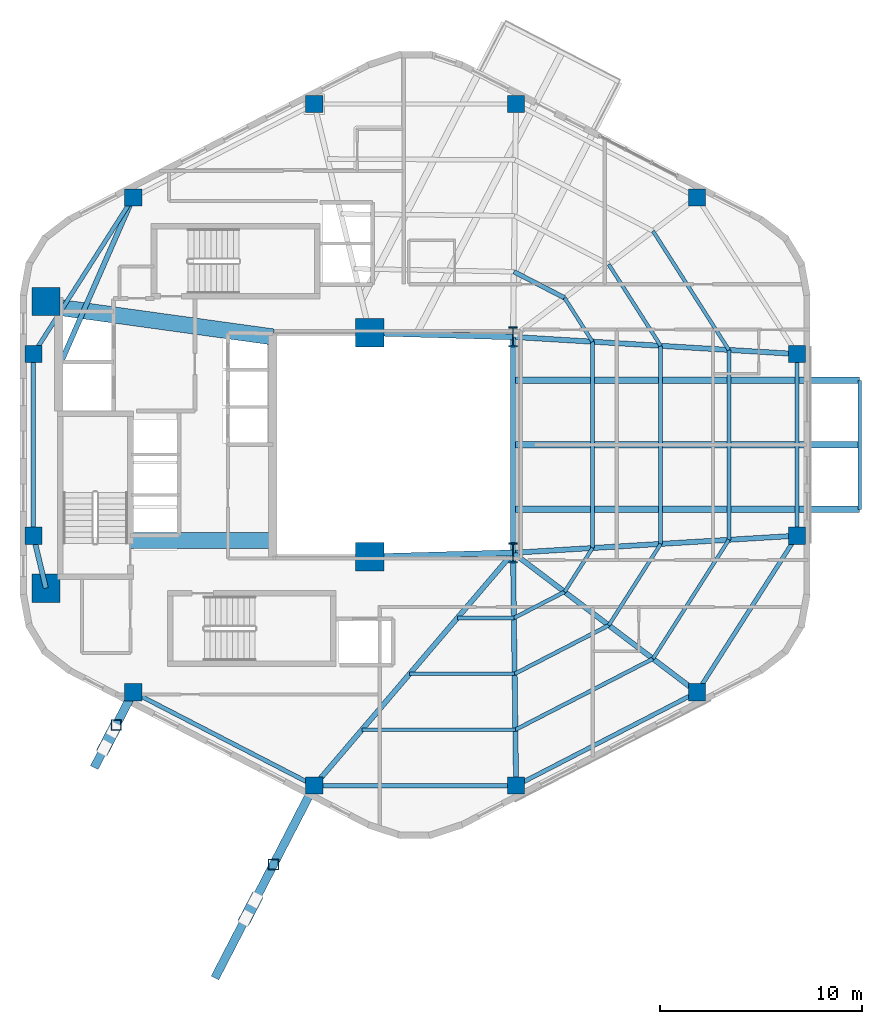
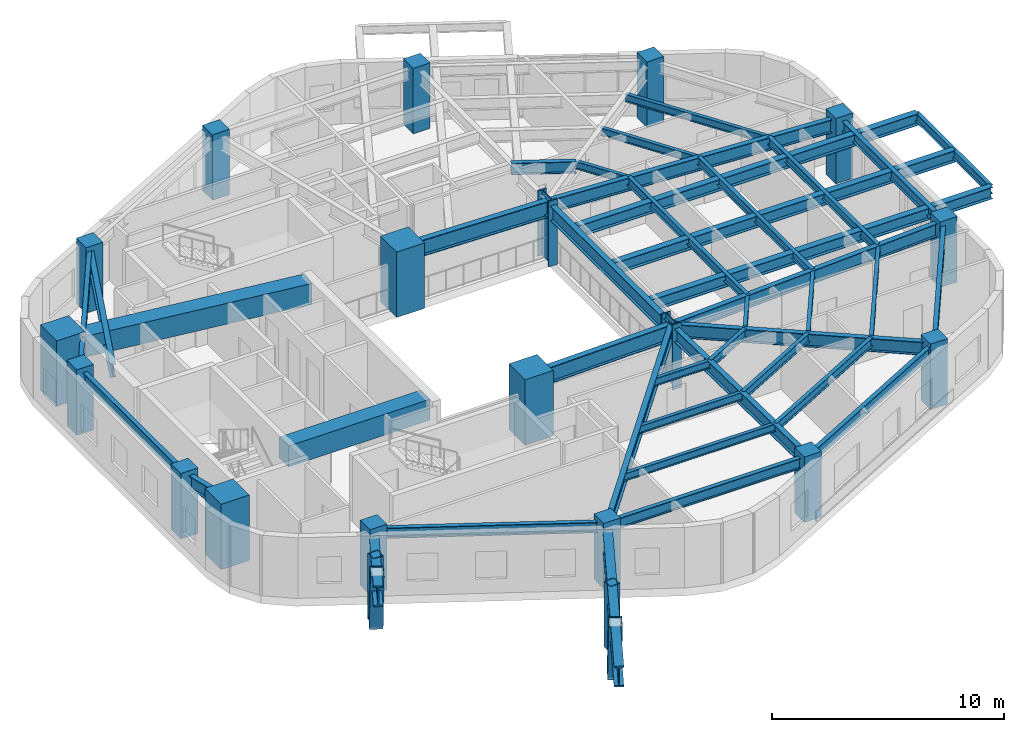
# One storey, part 1 of 12: 41 beams, 18 columns, 4 members.
"""IFC4 building model written with IfcOpenShell, lengths in metres."""

from ifc_helpers import new_model, si_unit, direction, frame, origin, origin_2d, place, context, subcontext, project, spatial, rectangle, hollow_rectangle, i_section, extrude, material, material_profile, profile_set, type_object, element, save


model = new_model("IFC4")

# Units and contexts
model_context = context("Model", 3, precision=1e-05, world=origin(), true_north=direction((0.0, 1.0)))
body_context = subcontext(model_context, "Body", "Model", "MODEL_VIEW")
ifc_project = project(units=[si_unit("LENGTHUNIT", "METRE"), si_unit("AREAUNIT", "SQUARE_METRE"), si_unit("VOLUMEUNIT", "CUBIC_METRE"), si_unit("PLANEANGLEUNIT", "RADIAN"), si_unit("MASSUNIT", "GRAM", prefix="KILO"), si_unit("THERMODYNAMICTEMPERATUREUNIT", "KELVIN"), si_unit("POWERUNIT", "WATT")], contexts=[model_context])

# Site, building, storey
site_placement = place(None, origin())
site = spatial("IfcSite", under=ifc_project, at=site_placement, CompositionType="ELEMENT")
building_placement = place(site_placement, origin())
building = spatial("IfcBuilding", under=site, at=building_placement, Name="Skarre Station Tower", CompositionType="ELEMENT")
storey_placement = place(building_placement, frame((0.0, 0.0, 163.64990234375)))
storey = spatial("IfcBuildingStorey", under=building, at=storey_placement, Name="L44", CompositionType="ELEMENT", Elevation=163.64990234375)

# Columns
ifc_material_1 = material(Name="Concrete C70/85", Category="concrete")
ifc_material_profile_1 = material_profile(ifc_material_1, rectangle(XDim=1.39990234375, YDim=1.39990234375, at=origin_2d()), Name="Concrete C70/85")
ifc_profile_set_1 = profile_set([ifc_material_profile_1], Name="Concrete C70/85")
column_type_1 = type_object("IfcColumnType", Name="RC Structural Column RC-COL-1400X1400", PredefinedType="COLUMN", material=ifc_profile_set_1)
for number, where, z_axis, x_axis, name in (
    (1, (16.300048828125, 16.89990234375, 0.0), (0.0, 0.0, 1.0), (1.0, 0.0, 0.0), "L44 Core Column CC-SW"),
    (2, (16.300048828125, 31.10009765625, 0.0), (0.0, 0.0, 1.0), (1.0, 0.0, 0.0), "L44 Core Column CC-NW"),
    (3, (32.35009765625, 18.449951171875, 0.0), (0.0, 0.0, 1.0), (1.0, 0.0, 0.0), "L44 Core Column CC-SE"),
    (4, (32.35009765625, 29.550048828125, 0.0), (0.0, 0.0, 1.0), (1.0, 0.0, 0.0), "L44 Core Column CC-NE"),
):
    element("IfcColumn", number, at=place(storey_placement, frame(where, z_axis=z_axis, x_axis=x_axis)), inside=storey, type_object=column_type_1, Name=name, PredefinedType="COLUMN", context=body_context, shape_type="SweptSolid", body=[
        extrude(rectangle(XDim=1.39990234375, YDim=1.39990234375, at=origin_2d()), origin(), (0.0, 0.0, 1.0), 3.4501953125),
    ])
ifc_material_2 = material(Name="Concrete C50/60", Category="concrete")
ifc_material_profile_2 = material_profile(ifc_material_2, rectangle(XDim=0.85009765625, YDim=0.85009765625, at=origin_2d()), Name="Concrete C50/60")
ifc_profile_set_2 = profile_set([ifc_material_profile_2], Name="Concrete C50/60")
column_type_2 = type_object("IfcColumnType", Name="RC Structural Column RC-COL-850X850", PredefinedType="COLUMN", material=ifc_profile_set_2)
for number, where, z_axis, x_axis, name in (
    (5, (48.573974609375, 36.257080078125, 0.0), (0.0, 0.0, 1.0), (1.0, 0.0, 0.0), "L44 Zone 3 Perimeter Column F0C1"),
    (6, (39.60205078125, 40.887939453125, 0.0), (0.0, 0.0, 1.0), (1.0, 0.0, 0.0), "L44 Zone 3 Perimeter Column F0C2"),
    (7, (29.597900390625, 40.887939453125, 0.0), (0.0, 0.0, 1.0), (1.0, 0.0, 0.0), "L44 Zone 3 Perimeter Column F1C1"),
    (8, (20.6259765625, 36.257080078125, 0.0), (0.0, 0.0, 1.0), (1.0, 0.0, 0.0), "L44 Zone 3 Perimeter Column F1C2"),
    (9, (15.677978515625, 28.5009765625, 0.0), (0.0, 0.0, 1.0), (1.0, 0.0, 0.0), "L44 Zone 3 Perimeter Column F2C1"),
    (10, (15.677978515625, 19.4990234375, 0.0), (0.0, 0.0, 1.0), (1.0, 0.0, 0.0), "L44 Zone 3 Perimeter Column F2C2"),
    (11, (20.6259765625, 11.742919921875, 0.0), (0.0, 0.0, 1.0), (1.0, 0.0, 0.0), "L44 Zone 3 Perimeter Column F3C1"),
    (12, (29.597900390625, 7.112060546875, 0.0), (0.0, 0.0, 1.0), (1.0, 0.0, 0.0), "L44 Zone 3 Perimeter Column F3C2"),
    (13, (39.60205078125, 7.112060546875, 0.0), (0.0, 0.0, 1.0), (1.0, 0.0, 0.0), "L44 Zone 3 Perimeter Column F4C1"),
    (14, (48.573974609375, 11.742919921875, 0.0), (0.0, 0.0, 1.0), (1.0, 0.0, 0.0), "L44 Zone 3 Perimeter Column F4C2"),
    (15, (53.52197265625, 19.4990234375, 0.0), (0.0, 0.0, 1.0), (1.0, 0.0, 0.0), "L44 Zone 3 Perimeter Column F5C1"),
    (16, (53.52197265625, 28.5009765625, 0.0), (0.0, 0.0, 1.0), (1.0, 0.0, 0.0), "L44 Zone 3 Perimeter Column F5C2"),
):
    element("IfcColumn", number, at=place(storey_placement, frame(where, z_axis=z_axis, x_axis=x_axis)), inside=storey, type_object=column_type_2, Name=name, PredefinedType="COLUMN", context=body_context, shape_type="SweptSolid", body=[
        extrude(rectangle(XDim=0.85009765625, YDim=0.85009765625, at=origin_2d()), origin(), (0.0, 0.0, 1.0), 3.4501953125),
    ])
ifc_material_3 = material(Name="Steel ASTM A913 Grade 65", Category="steel")
ifc_material_profile_3 = material_profile(ifc_material_3, i_section(OverallWidth=0.430908203125, OverallDepth=0.987060546875, WebThickness=0.033935546875, FlangeThickness=0.06201171875, at=origin_2d()), Name="Steel ASTM A913 Grade 65")
ifc_profile_set_3 = profile_set([ifc_material_profile_3], Name="Steel ASTM A913 Grade 65")
column_type_3 = type_object("IfcColumnType", Name="Steel Column W36X441", PredefinedType="COLUMN", material=ifc_profile_set_3)
for number, where, z_axis, x_axis, name in (
    (17, (39.449951171875, 18.64990234375, 0.0), (0.0, 0.0, 1.0), (1.0, 0.0, 0.0), "L44 Atrium Spine Column AC-SE"),
    (18, (39.449951171875, 29.35009765625, 0.0), (0.0, 0.0, 1.0), (1.0, 0.0, 0.0), "L44 Atrium Spine Column AC-NE"),
):
    element("IfcColumn", number, at=place(storey_placement, frame(where, z_axis=z_axis, x_axis=x_axis)), inside=storey, type_object=column_type_3, Name=name, PredefinedType="COLUMN", context=body_context, shape_type="SweptSolid", body=[
        extrude(i_section(OverallWidth=0.430908203125, OverallDepth=0.987060546875, WebThickness=0.033935546875, FlangeThickness=0.06201171875, at=origin_2d()), origin(), (0.0, 0.0, 1.0), 3.4501953125),
    ])

# Beams
ifc_material_profile_4 = material_profile(ifc_material_1, rectangle(XDim=0.800048828125, YDim=1.10009765625, at=origin_2d()), Name="Concrete C70/85")
ifc_profile_set_4 = profile_set([ifc_material_profile_4], Name="Concrete C70/85")
beam_type_1 = type_object("IfcBeamType", Name="RC Core Coupling Lintel 800x1100", PredefinedType="LINTEL", material=ifc_profile_set_4)
beam_1_placement = place(storey_placement, frame((20.489990234375, 19.260009765625, 2.64013671875), z_axis=(1.0, 0.0, 0.0), x_axis=(0.0, 1.0, 0.0)))
element("IfcBeam", 19, at=beam_1_placement, inside=storey, type_object=beam_type_1, Name="L44 South Core Coupling Lintel", PredefinedType="LINTEL", context=body_context, shape_type="SweptSolid", body=[
    extrude(rectangle(XDim=0.800048828125, YDim=1.10009765625, at=origin_2d()), origin(), (0.0, 0.0, 1.0), 7.06005859375),
])
beam_2_placement = place(storey_placement, frame((17.050048828125, 30.800048828125, 2.64013671875), z_axis=(0.990599723633, -0.136792498109, 0.0), x_axis=(0.136792498109, 0.990599723633, 0.0)))
element("IfcBeam", 20, at=beam_2_placement, inside=storey, type_object=beam_type_1, Name="L44 North Core Coupling Lintel", PredefinedType="LINTEL", context=body_context, shape_type="SweptSolid", body=[
    extrude(rectangle(XDim=0.800048828125, YDim=1.10009765625, at=origin_2d()), origin(), (0.0, 0.0, 1.0), 10.599609375),
])
ifc_material_4 = material(Name="Steel ASTM A992 Grade 50", Category="steel")
ifc_material_profile_5 = material_profile(ifc_material_4, i_section(OverallWidth=0.323974609375, OverallDepth=0.611083984375, WebThickness=0.012939453125, FlangeThickness=0.01904296875, at=origin_2d()), Name="Steel ASTM A992 Grade 50")
ifc_profile_set_5 = profile_set([ifc_material_profile_5], Name="Steel ASTM A992 Grade 50")
beam_type_2 = type_object("IfcBeamType", Name="Steel Beam W24X104", PredefinedType="BEAM", material=ifc_profile_set_5)
for number, where, z_axis, x_axis, name in (
    (21, (39.449951171875, 24.0, 2.800048828125), (1.0, 0.0, 0.0), (0.0, 1.0, 0.0), "L44 TB-L45-F5 Center Outrigger Beam"),
    (22, (39.449951171875, 20.800048828125, 2.800048828125), (1.0, 0.0, 0.0), (0.0, 1.0, 0.0), "L44 TB-L45-F5 Outrigger Beam 1"),
    (23, (39.449951171875, 27.199951171875, 2.800048828125), (1.0, 0.0, 0.0), (0.0, 1.0, 0.0), "L44 TB-L45-F5 Outrigger Beam 2"),
):
    element("IfcBeam", number, at=place(storey_placement, frame(where, z_axis=z_axis, x_axis=x_axis)), inside=storey, type_object=beam_type_2, Name=name, PredefinedType="BEAM", context=body_context, shape_type="SweptSolid", body=[
        extrude(i_section(OverallWidth=0.323974609375, OverallDepth=0.611083984375, WebThickness=0.012939453125, FlangeThickness=0.01904296875, at=origin_2d()), origin(), (0.0, 0.0, 1.0), 17.18212890625),
    ])
ifc_material_profile_6 = material_profile(ifc_material_4, i_section(OverallWidth=0.256103515625, OverallDepth=0.693115234375, WebThickness=0.013916015625, FlangeThickness=0.02392578125, at=origin_2d()), Name="Steel ASTM A992 Grade 50")
ifc_profile_set_6 = profile_set([ifc_material_profile_6], Name="Steel ASTM A992 Grade 50")
beam_type_3 = type_object("IfcBeamType", Name="Steel Beam W27X114", PredefinedType="BEAM", material=ifc_profile_set_6)
beam_3_placement = place(storey_placement, frame((17.010009765625, 28.0, 2.843994140625), z_axis=(0.401144174417, 0.916014929644, 0.0), x_axis=(-0.916014929644, 0.401144174417, 0.0)))
element("IfcBeam", 24, at=beam_3_placement, inside=storey, type_object=beam_type_3, Name="L44 Radial Floor Girder F1C2", PredefinedType="BEAM", context=body_context, shape_type="SweptSolid", body=[
    extrude(i_section(OverallWidth=0.256103515625, OverallDepth=0.693115234375, WebThickness=0.013916015625, FlangeThickness=0.02392578125, at=origin_2d()), origin(), (0.0, 0.0, 1.0), 9.01416015625),
])
beam_4_placement = place(storey_placement, frame((16.300048828125, 16.89990234375, 2.843994140625), z_axis=(-0.232764815072, 0.972533053867, 0.0), x_axis=(-0.972533053867, -0.232764815072, 0.0)))
element("IfcBeam", 25, at=beam_4_placement, inside=storey, type_object=beam_type_3, Name="L44 Radial Floor Girder F2C2", PredefinedType="BEAM", context=body_context, shape_type="SweptSolid", body=[
    extrude(i_section(OverallWidth=0.256103515625, OverallDepth=0.693115234375, WebThickness=0.013916015625, FlangeThickness=0.02392578125, at=origin_2d()), origin(), (0.0, 0.0, 1.0), 2.672607421875),
])
beam_5_placement = place(storey_placement, frame((39.449951171875, 18.64990234375, 2.843994140625), z_axis=(-0.649364312169, -0.760477475065, 0.0), x_axis=(0.760477475065, -0.649364312169, 0.0)))
element("IfcBeam", 26, at=beam_5_placement, inside=storey, type_object=beam_type_3, Name="L44 Radial Floor Girder F3C2", PredefinedType="BEAM", context=body_context, shape_type="SweptSolid", body=[
    extrude(i_section(OverallWidth=0.256103515625, OverallDepth=0.693115234375, WebThickness=0.013916015625, FlangeThickness=0.02392578125, at=origin_2d()), origin(), (0.0, 0.0, 1.0), 15.171875),
])
beam_6_placement = place(storey_placement, frame((39.449951171875, 18.64990234375, 2.843994140625), z_axis=(0.013181528887, -0.999913119874, 0.0), x_axis=(0.999913119874, 0.013181528887, 0.0)))
element("IfcBeam", 27, at=beam_6_placement, inside=storey, type_object=beam_type_3, Name="L44 Radial Floor Girder F4C1", PredefinedType="BEAM", context=body_context, shape_type="SweptSolid", body=[
    extrude(i_section(OverallWidth=0.256103515625, OverallDepth=0.693115234375, WebThickness=0.013916015625, FlangeThickness=0.02392578125, at=origin_2d()), origin(), (0.0, 0.0, 1.0), 11.538818359375),
])
beam_7_placement = place(storey_placement, frame((39.449951171875, 18.64990234375, 2.843994140625), z_axis=(0.797308988117, -0.603571352425, 0.0), x_axis=(0.603571352425, 0.797308988117, 0.0)))
element("IfcBeam", 28, at=beam_7_placement, inside=storey, type_object=beam_type_3, Name="L44 Radial Floor Girder F4C2", PredefinedType="BEAM", context=body_context, shape_type="SweptSolid", body=[
    extrude(i_section(OverallWidth=0.256103515625, OverallDepth=0.693115234375, WebThickness=0.013916015625, FlangeThickness=0.02392578125, at=origin_2d()), origin(), (0.0, 0.0, 1.0), 11.443603515625),
])
for number, where, z_axis, x_axis, name in (
    (29, (39.449951171875, 18.64990234375, 2.843994140625), (0.998184432941, 0.060231535207, 0.0), (-0.060231535207, 0.998184432941, 0.0), "L44 Radial Floor Girder F5C1"),
    (30, (39.449951171875, 29.35009765625, 2.843994140625), (0.998184432941, -0.060231535207, 0.0), (0.060231535207, 0.998184432941, 0.0), "L44 Radial Floor Girder F5C2"),
):
    element("IfcBeam", number, at=place(storey_placement, frame(where, z_axis=z_axis, x_axis=x_axis)), inside=storey, type_object=beam_type_3, Name=name, PredefinedType="BEAM", context=body_context, shape_type="SweptSolid", body=[
        extrude(i_section(OverallWidth=0.256103515625, OverallDepth=0.693115234375, WebThickness=0.013916015625, FlangeThickness=0.02392578125, at=origin_2d()), origin(), (0.0, 0.0, 1.0), 14.09765625),
    ])
ifc_material_profile_7 = material_profile(ifc_material_4, i_section(OverallWidth=0.26806640625, OverallDepth=0.77001953125, WebThickness=0.01611328125, FlangeThickness=0.02490234375, at=origin_2d()), Name="Steel ASTM A992 Grade 50")
ifc_profile_set_7 = profile_set([ifc_material_profile_7], Name="Steel ASTM A992 Grade 50")
beam_type_4 = type_object("IfcBeamType", Name="Steel Beam W30X132", PredefinedType="BEAM", material=ifc_profile_set_7)
beam_8_placement = place(storey_placement, frame((39.449951171875, 18.64990234375, 2.80517578125), z_axis=(0.0, 1.0, 0.0), x_axis=(-1.0, 0.0, 0.0)))
element("IfcBeam", 31, at=beam_8_placement, inside=storey, type_object=beam_type_4, Name="L44 Atrium East Edge Girder", PredefinedType="BEAM", context=body_context, shape_type="SweptSolid", body=[
    extrude(i_section(OverallWidth=0.26806640625, OverallDepth=0.77001953125, WebThickness=0.01611328125, FlangeThickness=0.02490234375, at=origin_2d()), origin(), (0.0, 0.0, 1.0), 10.7001953125),
])
ifc_material_profile_8 = material_profile(ifc_material_4, i_section(OverallWidth=0.2919921875, OverallDepth=0.85888671875, WebThickness=0.01708984375, FlangeThickness=0.031005859375, at=origin_2d()), Name="Steel ASTM A992 Grade 50")
ifc_profile_set_8 = profile_set([ifc_material_profile_8], Name="Steel ASTM A992 Grade 50")
beam_type_5 = type_object("IfcBeamType", Name="Steel Beam W33X169", PredefinedType="BEAM", material=ifc_profile_set_8)
for number, where, z_axis, x_axis, name in (
    (32, (32.35009765625, 18.449951171875, 2.760986328125), (0.999603666405, 0.028151556095, 0.0), (-0.028151556095, 0.999603666405, 0.0), "L44 Atrium South Edge Girder"),
    (33, (32.35009765625, 29.550048828125, 2.760986328125), (0.999603666405, -0.028151556095, 0.0), (0.028151556095, 0.999603666405, 0.0), "L44 Atrium North Edge Girder"),
):
    element("IfcBeam", number, at=place(storey_placement, frame(where, z_axis=z_axis, x_axis=x_axis)), inside=storey, type_object=beam_type_5, Name=name, PredefinedType="BEAM", context=body_context, shape_type="SweptSolid", body=[
        extrude(i_section(OverallWidth=0.2919921875, OverallDepth=0.85888671875, WebThickness=0.01708984375, FlangeThickness=0.031005859375, at=origin_2d()), origin(), (0.0, 0.0, 1.0), 7.102783203125),
    ])
ifc_material_profile_9 = material_profile(ifc_material_4, i_section(OverallWidth=0.177978515625, OverallDepth=0.403076171875, WebThickness=0.008056640625, FlangeThickness=0.010986328125, at=origin_2d()), Name="Steel ASTM A992 Grade 50")
ifc_profile_set_9 = profile_set([ifc_material_profile_9], Name="Steel ASTM A992 Grade 50")
beam_type_6 = type_object("IfcBeamType", Name="Steel Joist W16X36", PredefinedType="JOIST", material=ifc_profile_set_9)
beam_9_placement = place(storey_placement, frame((36.69091796875, 15.4189453125, 2.988037109375), z_axis=(1.0, 0.0, 0.0), x_axis=(0.0, 1.0, 0.0)))
element("IfcBeam", 34, at=beam_9_placement, inside=storey, type_object=beam_type_6, Name="L44 Auxiliary Composite Joist 10", PredefinedType="JOIST", context=body_context, shape_type="SweptSolid", body=[
    extrude(i_section(OverallWidth=0.177978515625, OverallDepth=0.403076171875, WebThickness=0.008056640625, FlangeThickness=0.010986328125, at=origin_2d()), origin(), (0.0, 0.0, 1.0), 2.802001953125),
])
beam_10_placement = place(storey_placement, frame((34.326904296875, 12.64990234375, 2.988037109375), z_axis=(1.0, 0.0, 0.0), x_axis=(0.0, 1.0, 0.0)))
element("IfcBeam", 35, at=beam_10_placement, inside=storey, type_object=beam_type_6, Name="L44 Auxiliary Composite Joist 11", PredefinedType="JOIST", context=body_context, shape_type="SweptSolid", body=[
    extrude(i_section(OverallWidth=0.177978515625, OverallDepth=0.403076171875, WebThickness=0.008056640625, FlangeThickness=0.010986328125, at=origin_2d()), origin(), (0.0, 0.0, 1.0), 5.2021484375),
])
beam_11_placement = place(storey_placement, frame((31.9619140625, 9.881103515625, 2.988037109375), z_axis=(1.0, 0.0, 0.0), x_axis=(0.0, 1.0, 0.0)))
element("IfcBeam", 36, at=beam_11_placement, inside=storey, type_object=beam_type_6, Name="L44 Auxiliary Composite Joist 12", PredefinedType="JOIST", context=body_context, shape_type="SweptSolid", body=[
    extrude(i_section(OverallWidth=0.177978515625, OverallDepth=0.403076171875, WebThickness=0.008056640625, FlangeThickness=0.010986328125, at=origin_2d()), origin(), (0.0, 0.0, 1.0), 7.60400390625),
])
beam_12_placement = place(storey_placement, frame((42.0048828125, 16.716064453125, 2.988037109375), z_axis=(0.537678636248, 0.843149858639, 0.0), x_axis=(-0.843149858639, 0.537678636248, 0.0)))
element("IfcBeam", 37, at=beam_12_placement, inside=storey, type_object=beam_type_6, Name="L44 Auxiliary Composite Joist 16", PredefinedType="JOIST", context=body_context, shape_type="SweptSolid", body=[
    extrude(i_section(OverallWidth=0.177978515625, OverallDepth=0.403076171875, WebThickness=0.008056640625, FlangeThickness=0.010986328125, at=origin_2d()), origin(), (0.0, 0.0, 1.0), 2.575927734375),
])
beam_13_placement = place(storey_placement, frame((44.194091796875, 15.05810546875, 2.988037109375), z_axis=(0.53785259263, 0.843038901001, 0.0), x_axis=(-0.843038901001, 0.53785259263, 0.0)))
element("IfcBeam", 38, at=beam_13_placement, inside=storey, type_object=beam_type_6, Name="L44 Auxiliary Composite Joist 17", PredefinedType="JOIST", context=body_context, shape_type="SweptSolid", body=[
    extrude(i_section(OverallWidth=0.177978515625, OverallDepth=0.403076171875, WebThickness=0.008056640625, FlangeThickness=0.010986328125, at=origin_2d()), origin(), (0.0, 0.0, 1.0), 4.783935546875),
])
beam_14_placement = place(storey_placement, frame((46.384033203125, 13.40087890625, 2.988037109375), z_axis=(0.537916675884, 0.842998012931, 0.0), x_axis=(-0.842998012931, 0.537916675884, 0.0)))
element("IfcBeam", 39, at=beam_14_placement, inside=storey, type_object=beam_type_6, Name="L44 Auxiliary Composite Joist 18", PredefinedType="JOIST", context=body_context, shape_type="SweptSolid", body=[
    extrude(i_section(OverallWidth=0.177978515625, OverallDepth=0.403076171875, WebThickness=0.008056640625, FlangeThickness=0.010986328125, at=origin_2d()), origin(), (0.0, 0.0, 1.0), 6.99169921875),
])
beam_15_placement = place(storey_placement, frame((43.389892578125, 29.112060546875, 2.988037109375), z_axis=(-0.537678636248, 0.843149858639, 0.0), x_axis=(-0.843149858639, -0.537678636248, 0.0)))
element("IfcBeam", 40, at=beam_15_placement, inside=storey, type_object=beam_type_6, Name="L44 Auxiliary Composite Joist 22", PredefinedType="JOIST", context=body_context, shape_type="SweptSolid", body=[
    extrude(i_section(OverallWidth=0.177978515625, OverallDepth=0.403076171875, WebThickness=0.008056640625, FlangeThickness=0.010986328125, at=origin_2d()), origin(), (0.0, 0.0, 1.0), 2.575927734375),
])
beam_16_placement = place(storey_placement, frame((46.76708984375, 28.908935546875, 2.988037109375), z_axis=(-0.53785259263, 0.843038901001, 0.0), x_axis=(-0.843038901001, -0.53785259263, 0.0)))
element("IfcBeam", 41, at=beam_16_placement, inside=storey, type_object=beam_type_6, Name="L44 Auxiliary Composite Joist 23", PredefinedType="JOIST", context=body_context, shape_type="SweptSolid", body=[
    extrude(i_section(OverallWidth=0.177978515625, OverallDepth=0.403076171875, WebThickness=0.008056640625, FlangeThickness=0.010986328125, at=origin_2d()), origin(), (0.0, 0.0, 1.0), 4.783935546875),
])
beam_17_placement = place(storey_placement, frame((50.14501953125, 28.705078125, 2.988037109375), z_axis=(-0.537916675884, 0.842998012931, 0.0), x_axis=(-0.842998012931, -0.537916675884, 0.0)))
element("IfcBeam", 42, at=beam_17_placement, inside=storey, type_object=beam_type_6, Name="L44 Auxiliary Composite Joist 24", PredefinedType="JOIST", context=body_context, shape_type="SweptSolid", body=[
    extrude(i_section(OverallWidth=0.177978515625, OverallDepth=0.403076171875, WebThickness=0.008056640625, FlangeThickness=0.010986328125, at=origin_2d()), origin(), (0.0, 0.0, 1.0), 6.99169921875),
])
ifc_material_profile_10 = material_profile(ifc_material_4, i_section(OverallWidth=0.19091796875, OverallDepth=0.45703125, WebThickness=0.009033203125, FlangeThickness=0.013916015625, at=origin_2d()), Name="Steel ASTM A992 Grade 50")
ifc_profile_set_10 = profile_set([ifc_material_profile_10], Name="Steel ASTM A992 Grade 50")
beam_type_7 = type_object("IfcBeamType", Name="Steel Joist W18X50", PredefinedType="JOIST", material=ifc_profile_set_10)
beam_18_placement = place(storey_placement, frame((39.492919921875, 15.4189453125, 2.962158203125), z_axis=(0.888530947613, 0.458816690122, 0.0), x_axis=(-0.458816690122, 0.888530947613, 0.0)))
element("IfcBeam", 43, at=beam_18_placement, inside=storey, type_object=beam_type_7, Name="L44 Auxiliary Composite Joist 13", PredefinedType="JOIST", context=body_context, shape_type="SweptSolid", body=[
    extrude(i_section(OverallWidth=0.19091796875, OverallDepth=0.45703125, WebThickness=0.009033203125, FlangeThickness=0.013916015625, at=origin_2d()), origin(), (0.0, 0.0, 1.0), 2.8271484375),
])
beam_19_placement = place(storey_placement, frame((39.529052734375, 12.64990234375, 2.962158203125), z_axis=(0.888586417093, 0.458709253622, 0.0), x_axis=(-0.458709253622, 0.888586417093, 0.0)))
element("IfcBeam", 44, at=beam_19_placement, inside=storey, type_object=beam_type_7, Name="L44 Auxiliary Composite Joist 14", PredefinedType="JOIST", context=body_context, shape_type="SweptSolid", body=[
    extrude(i_section(OverallWidth=0.19091796875, OverallDepth=0.45703125, WebThickness=0.009033203125, FlangeThickness=0.013916015625, at=origin_2d()), origin(), (0.0, 0.0, 1.0), 5.25),
])
beam_20_placement = place(storey_placement, frame((39.56591796875, 9.881103515625, 2.962158203125), z_axis=(0.888580913917, 0.458719913916, 0.0), x_axis=(-0.458719913916, 0.888580913917, 0.0)))
element("IfcBeam", 45, at=beam_20_placement, inside=storey, type_object=beam_type_7, Name="L44 Auxiliary Composite Joist 15", PredefinedType="JOIST", context=body_context, shape_type="SweptSolid", body=[
    extrude(i_section(OverallWidth=0.19091796875, OverallDepth=0.45703125, WebThickness=0.009033203125, FlangeThickness=0.013916015625, at=origin_2d()), origin(), (0.0, 0.0, 1.0), 7.673095703125),
])
beam_21_placement = place(storey_placement, frame((43.389892578125, 18.887939453125, 2.962158203125), z_axis=(0.0, 1.0, 0.0), x_axis=(-1.0, 0.0, 0.0)))
element("IfcBeam", 46, at=beam_21_placement, inside=storey, type_object=beam_type_7, Name="L44 Auxiliary Composite Joist 19", PredefinedType="JOIST", context=body_context, shape_type="SweptSolid", body=[
    extrude(i_section(OverallWidth=0.19091796875, OverallDepth=0.45703125, WebThickness=0.009033203125, FlangeThickness=0.013916015625, at=origin_2d()), origin(), (0.0, 0.0, 1.0), 10.22412109375),
])
beam_22_placement = place(storey_placement, frame((46.76708984375, 19.091064453125, 2.962158203125), z_axis=(0.0, 1.0, 0.0), x_axis=(-1.0, 0.0, 0.0)))
element("IfcBeam", 47, at=beam_22_placement, inside=storey, type_object=beam_type_7, Name="L44 Auxiliary Composite Joist 20", PredefinedType="JOIST", context=body_context, shape_type="SweptSolid", body=[
    extrude(i_section(OverallWidth=0.19091796875, OverallDepth=0.45703125, WebThickness=0.009033203125, FlangeThickness=0.013916015625, at=origin_2d()), origin(), (0.0, 0.0, 1.0), 9.81787109375),
])
beam_23_placement = place(storey_placement, frame((50.14501953125, 19.294921875, 2.962158203125), z_axis=(0.0, 1.0, 0.0), x_axis=(-1.0, 0.0, 0.0)))
element("IfcBeam", 48, at=beam_23_placement, inside=storey, type_object=beam_type_7, Name="L44 Auxiliary Composite Joist 21", PredefinedType="JOIST", context=body_context, shape_type="SweptSolid", body=[
    extrude(i_section(OverallWidth=0.19091796875, OverallDepth=0.45703125, WebThickness=0.009033203125, FlangeThickness=0.013916015625, at=origin_2d()), origin(), (0.0, 0.0, 1.0), 9.41015625),
])
beam_24_placement = place(storey_placement, frame((56.632080078125, 20.800048828125, 2.8759765625), z_axis=(0.0, 1.0, 0.0), x_axis=(-1.0, 0.0, 0.0)))
element("IfcBeam", 49, at=beam_24_placement, inside=storey, type_object=beam_type_7, Name="L44 TB-L45-F5 Rim Beam", PredefinedType="JOIST", context=body_context, shape_type="SweptSolid", body=[
    extrude(i_section(OverallWidth=0.19091796875, OverallDepth=0.45703125, WebThickness=0.009033203125, FlangeThickness=0.013916015625, at=origin_2d()), origin(), (0.0, 0.0, 1.0), 6.39990234375),
])
ifc_material_profile_11 = material_profile(ifc_material_4, i_section(OverallWidth=0.22802734375, OverallDepth=0.60791015625, WebThickness=0.010986328125, FlangeThickness=0.01708984375, at=origin_2d()), Name="Steel ASTM A992 Grade 50")
ifc_profile_set_11 = profile_set([ifc_material_profile_11], Name="Steel ASTM A992 Grade 50")
beam_type_8 = type_object("IfcBeamType", Name="Steel Joist W24X76", PredefinedType="JOIST", material=ifc_profile_set_11)
beam_25_placement = place(storey_placement, frame((42.0048828125, 31.283935546875, 2.885986328125), z_axis=(-0.888530947613, 0.458816690122, 0.0), x_axis=(-0.458816690122, -0.888530947613, 0.0)))
element("IfcBeam", 50, at=beam_25_placement, inside=storey, type_object=beam_type_8, Name="L44 Secondary Floor Joist 1", PredefinedType="JOIST", context=body_context, shape_type="SweptSolid", body=[
    extrude(i_section(OverallWidth=0.22802734375, OverallDepth=0.60791015625, WebThickness=0.010986328125, FlangeThickness=0.01708984375, at=origin_2d()), origin(), (0.0, 0.0, 1.0), 2.8271484375),
])
ifc_material_profile_12 = material_profile(ifc_material_4, i_section(OverallWidth=0.214111328125, OverallDepth=0.549072265625, WebThickness=0.014892578125, FlangeThickness=0.02392578125, at=origin_2d()), Name="Steel ASTM A992 Grade 50")
ifc_profile_set_12 = profile_set([ifc_material_profile_12], Name="Steel ASTM A992 Grade 50")
beam_type_9 = type_object("IfcBeamType", Name="Steel Spandrel W21X93", PredefinedType="SPANDREL", material=ifc_profile_set_12)
beam_26_placement = place(storey_placement, frame((20.6259765625, 36.257080078125, 2.916015625), z_axis=(-0.537826426158, -0.843055594445, 0.0), x_axis=(0.843055594445, -0.537826426158, 0.0)))
element("IfcBeam", 51, at=beam_26_placement, inside=storey, type_object=beam_type_9, Name="L44 Facet Spandrel Beam 4", PredefinedType="SPANDREL", context=body_context, shape_type="SweptSolid", body=[
    extrude(i_section(OverallWidth=0.214111328125, OverallDepth=0.549072265625, WebThickness=0.014892578125, FlangeThickness=0.02392578125, at=origin_2d()), origin(), (0.0, 0.0, 1.0), 9.199951171875),
])
beam_27_placement = place(storey_placement, frame((15.677978515625, 28.5009765625, 2.916015625), z_axis=(0.0, -1.0, 0.0), x_axis=(1.0, 0.0, 0.0)))
element("IfcBeam", 52, at=beam_27_placement, inside=storey, type_object=beam_type_9, Name="L44 Facet Spandrel Beam 5", PredefinedType="SPANDREL", context=body_context, shape_type="SweptSolid", body=[
    extrude(i_section(OverallWidth=0.214111328125, OverallDepth=0.549072265625, WebThickness=0.014892578125, FlangeThickness=0.02392578125, at=origin_2d()), origin(), (0.0, 0.0, 1.0), 9.001953125),
])
beam_28_placement = place(storey_placement, frame((20.6259765625, 11.742919921875, 2.916015625), z_axis=(0.888613027226, -0.458657702262, 0.0), x_axis=(0.458657702262, 0.888613027226, 0.0)))
element("IfcBeam", 53, at=beam_28_placement, inside=storey, type_object=beam_type_9, Name="L44 Facet Spandrel Beam 7", PredefinedType="SPANDREL", context=body_context, shape_type="SweptSolid", body=[
    extrude(i_section(OverallWidth=0.214111328125, OverallDepth=0.549072265625, WebThickness=0.014892578125, FlangeThickness=0.02392578125, at=origin_2d()), origin(), (0.0, 0.0, 1.0), 10.096435546875),
])
beam_29_placement = place(storey_placement, frame((29.597900390625, 7.112060546875, 2.916015625), z_axis=(1.0, 0.0, 0.0), x_axis=(0.0, 1.0, 0.0)))
element("IfcBeam", 54, at=beam_29_placement, inside=storey, type_object=beam_type_9, Name="L44 Facet Spandrel Beam 8", PredefinedType="SPANDREL", context=body_context, shape_type="SweptSolid", body=[
    extrude(i_section(OverallWidth=0.214111328125, OverallDepth=0.549072265625, WebThickness=0.014892578125, FlangeThickness=0.02392578125, at=origin_2d()), origin(), (0.0, 0.0, 1.0), 10.004150390625),
])
beam_30_placement = place(storey_placement, frame((39.60205078125, 7.112060546875, 2.916015625), z_axis=(0.888613027226, 0.458657702262, 0.0), x_axis=(-0.458657702262, 0.888613027226, 0.0)))
element("IfcBeam", 55, at=beam_30_placement, inside=storey, type_object=beam_type_9, Name="L44 Facet Spandrel Beam 9", PredefinedType="SPANDREL", context=body_context, shape_type="SweptSolid", body=[
    extrude(i_section(OverallWidth=0.214111328125, OverallDepth=0.549072265625, WebThickness=0.014892578125, FlangeThickness=0.02392578125, at=origin_2d()), origin(), (0.0, 0.0, 1.0), 10.096435546875),
])
beam_31_placement = place(storey_placement, frame((48.573974609375, 11.742919921875, 2.916015625), z_axis=(0.537826426158, 0.843055594445, 0.0), x_axis=(-0.843055594445, 0.537826426158, 0.0)))
element("IfcBeam", 56, at=beam_31_placement, inside=storey, type_object=beam_type_9, Name="L44 Facet Spandrel Beam 10", PredefinedType="SPANDREL", context=body_context, shape_type="SweptSolid", body=[
    extrude(i_section(OverallWidth=0.214111328125, OverallDepth=0.549072265625, WebThickness=0.014892578125, FlangeThickness=0.02392578125, at=origin_2d()), origin(), (0.0, 0.0, 1.0), 9.199951171875),
])
beam_32_placement = place(storey_placement, frame((53.52197265625, 19.4990234375, 2.916015625), z_axis=(0.0, 1.0, 0.0), x_axis=(-1.0, 0.0, 0.0)))
element("IfcBeam", 57, at=beam_32_placement, inside=storey, type_object=beam_type_9, Name="L44 Facet Spandrel Beam 11", PredefinedType="SPANDREL", context=body_context, shape_type="SweptSolid", body=[
    extrude(i_section(OverallWidth=0.214111328125, OverallDepth=0.549072265625, WebThickness=0.014892578125, FlangeThickness=0.02392578125, at=origin_2d()), origin(), (0.0, 0.0, 1.0), 9.001953125),
])
ifc_material_profile_13 = material_profile(ifc_material_3, i_section(OverallWidth=0.424072265625, OverallDepth=1.092041015625, WebThickness=0.044921875, FlangeThickness=0.08203125, at=origin_2d()), Name="Steel ASTM A913 Grade 65")
ifc_profile_set_13 = profile_set([ifc_material_profile_13], Name="Steel ASTM A913 Grade 65")
beam_type_10 = type_object("IfcBeamType", Name="Steel Transfer Girder W40X593", PredefinedType="USERDEFINED", material=ifc_profile_set_13)
beam_33_placement = place(storey_placement, frame((20.6259765625, 11.742919921875, 2.484130859375), z_axis=(-0.458659168906, -0.888612270216, 0.0), x_axis=(0.888612270216, -0.458659168906, 0.0)))
element("IfcBeam", 58, at=beam_33_placement, inside=storey, type_object=beam_type_10, Name="L44 SB-4 Exoskeleton Tier-2 Transfer Girder S1", ObjectType="TRANSFER_GIRDER", PredefinedType="USERDEFINED", context=body_context, shape_type="SweptSolid", body=[
    extrude(i_section(OverallWidth=0.424072265625, OverallDepth=1.092041015625, WebThickness=0.044921875, FlangeThickness=0.08203125, at=origin_2d()), origin(), (0.0, 0.0, 1.0), 4.2099609375),
])
beam_34_placement = place(storey_placement, frame((29.597900390625, 7.112060546875, 2.484130859375), z_axis=(-0.458608145008, -0.888638604457, 0.0), x_axis=(0.888638604457, -0.458608145008, 0.0)))
element("IfcBeam", 59, at=beam_34_placement, inside=storey, type_object=beam_type_10, Name="L44 SB-4 Exoskeleton Tier-2 Transfer Girder S2", ObjectType="TRANSFER_GIRDER", PredefinedType="USERDEFINED", context=body_context, shape_type="SweptSolid", body=[
    extrude(i_section(OverallWidth=0.424072265625, OverallDepth=1.092041015625, WebThickness=0.044921875, FlangeThickness=0.08203125, at=origin_2d()), origin(), (0.0, 0.0, 1.0), 10.72998046875),
])

# Members
ifc_material_5 = material(Name="Steel ASTM A501 Grade B", Category="steel")
ifc_material_profile_14 = material_profile(ifc_material_5, hollow_rectangle(XDim=0.5, YDim=0.5, WallThickness=0.02490234375, at=origin_2d()), Name="Steel ASTM A501 Grade B")
ifc_profile_set_14 = profile_set([ifc_material_profile_14], Name="Steel ASTM A501 Grade B")
member_type_1 = type_object("IfcMemberType", Name="Steel Truss Strut HSS500X500X25", PredefinedType="STRUT", material=ifc_profile_set_14)
for number, where, z_axis, x_axis, name in (
    (60, (19.787109375, 10.116943359375, -0.43994140625), (0.0, 0.0, 1.0), (1.0, 0.0, 0.0), "L44 SB-4 Exoskeleton Post Tier 2 S1"),
    (61, (27.580078125, 3.201904296875, -0.43994140625), (0.0, 0.0, 1.0), (1.0, 0.0, 0.0), "L44 SB-4 Exoskeleton Post Tier 2 S2"),
):
    element("IfcMember", number, at=place(storey_placement, frame(where, z_axis=z_axis, x_axis=x_axis)), inside=storey, type_object=member_type_1, Name=name, PredefinedType="STRUT", context=body_context, shape_type="SweptSolid", body=[
        extrude(hollow_rectangle(XDim=0.5, YDim=0.5, WallThickness=0.02490234375, at=origin_2d()), origin(), (0.0, 0.0, 1.0), 3.469970703125),
    ])
ifc_material_profile_15 = material_profile(ifc_material_5, hollow_rectangle(XDim=0.60009765625, YDim=0.60009765625, WallThickness=0.028076171875, at=origin_2d()), Name="Steel ASTM A501 Grade B")
ifc_profile_set_15 = profile_set([ifc_material_profile_15], Name="Steel ASTM A501 Grade B")
member_type_2 = type_object("IfcMemberType", Name="Steel Truss Strut HSS600X600X28", PredefinedType="STRUT", material=ifc_profile_set_15)
member_1_placement = place(storey_placement, frame((19.6630859375, 9.876953125, -0.43994140625), z_axis=(-0.127096486621, -0.246148036057, 0.960862959757), x_axis=(0.888543643112, -0.458792103557, 0.0)))
element("IfcMember", 62, at=member_1_placement, inside=storey, type_object=member_type_2, Name="L44 SB-4 Exoskeleton Raking Strut Tier 2 S1", PredefinedType="STRUT", context=body_context, shape_type="SweptSolid", body=[
    extrude(hollow_rectangle(XDim=0.60009765625, YDim=0.60009765625, WallThickness=0.028076171875, at=origin_2d()), origin(), (0.0, 0.0, 1.0), 3.611328125),
])
member_2_placement = place(storey_placement, frame((26.672119140625, 1.44189453125, -0.43994140625), z_axis=(-0.127171458611, -0.245891863354, 0.960918629048), x_axis=(0.888238261446, -0.459383054655, 0.0)))
element("IfcMember", 63, at=member_2_placement, inside=storey, type_object=member_type_2, Name="L44 SB-4 Exoskeleton Raking Strut Tier 2 S2", PredefinedType="STRUT", context=body_context, shape_type="SweptSolid", body=[
    extrude(hollow_rectangle(XDim=0.60009765625, YDim=0.60009765625, WallThickness=0.028076171875, at=origin_2d()), origin(), (0.0, 0.0, 1.0), 3.611083984375),
])

save(model, "model.ifc")
